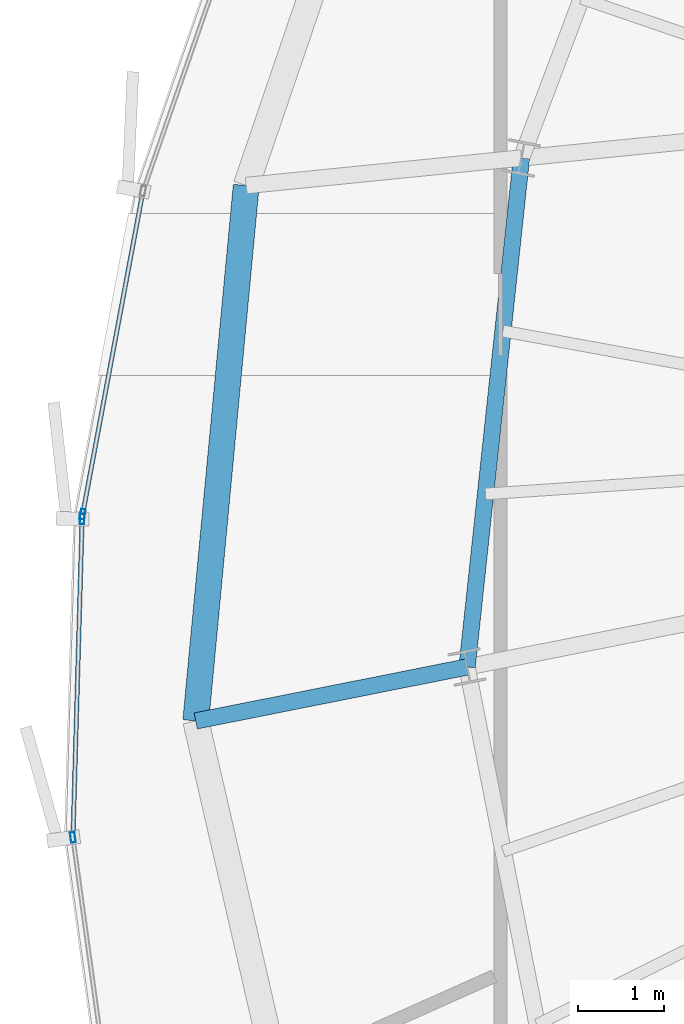
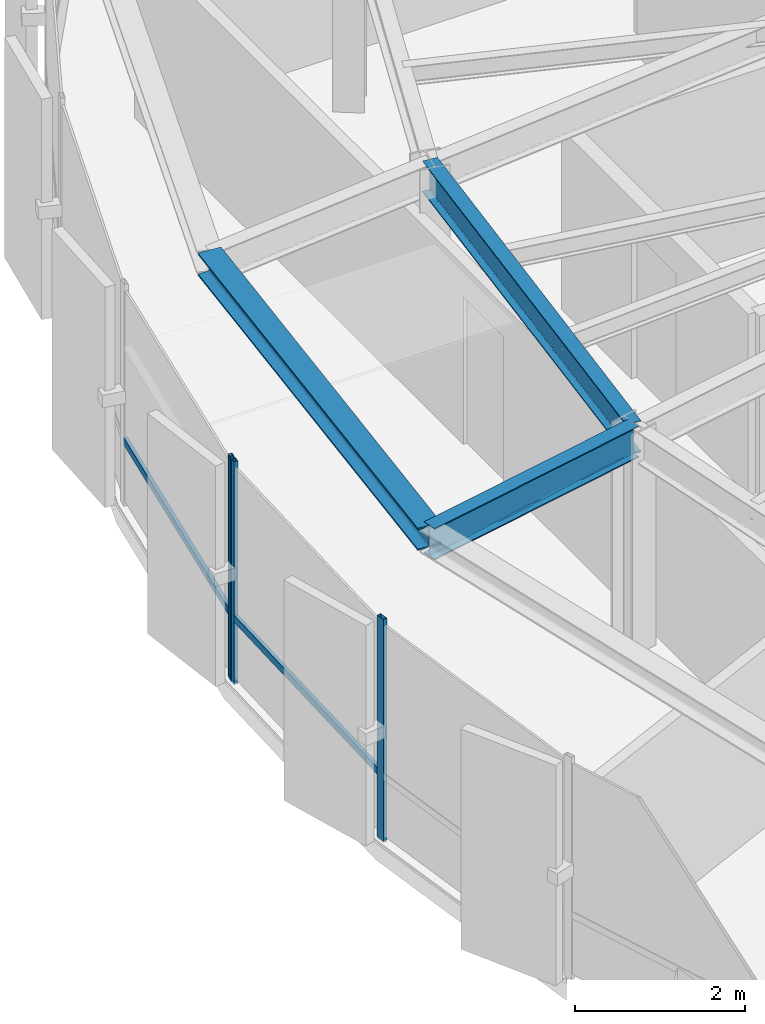
# One storey, part 9 of 31: 5 members, 3 beams, 2 elements without a shape of their own.
"""IFC4 building model written with IfcOpenShell, lengths in metres."""

from ifc_helpers import new_model, si_unit, direction, frame, origin, origin_2d, place, context, subcontext, project, spatial, hollow_rectangle, i_section, extrude, source, transform, mapped, material, layer, layer_set, material_profile, profile_set, type_object, element, aggregate, save


model = new_model("IFC4")

# Units and contexts
model_context = context("Model", 3, precision=1e-05, world=origin(), true_north=direction((0.0, 1.0)))
body_context = subcontext(model_context, "Body", "Model", "MODEL_VIEW")
ifc_project = project(units=[si_unit("LENGTHUNIT", "METRE"), si_unit("AREAUNIT", "SQUARE_METRE"), si_unit("VOLUMEUNIT", "CUBIC_METRE"), si_unit("PLANEANGLEUNIT", "RADIAN"), si_unit("MASSUNIT", "GRAM", prefix="KILO"), si_unit("THERMODYNAMICTEMPERATUREUNIT", "KELVIN")], contexts=[model_context])

# Site, building, storey
site_placement = place(None, origin())
site = spatial("IfcSite", under=ifc_project, at=site_placement, CompositionType="ELEMENT")
building_placement = place(site_placement, origin())
building = spatial("IfcBuilding", under=site, at=building_placement, Name="Kethvar Cultural Tower", CompositionType="ELEMENT")
storey_placement = place(building_placement, frame((0.0, 0.0, 269.800048828125)))
storey = spatial("IfcBuildingStorey", under=building, at=storey_placement, Name="L71", CompositionType="ELEMENT", Elevation=269.800048828125)

# Beams
ifc_material_1 = material(Name="Steel S355J2", Category="steel")
ifc_material_profile_1 = material_profile(ifc_material_1, i_section(OverallWidth=0.18994140625, OverallDepth=0.449951171875, WebThickness=0.009521484375, FlangeThickness=0.0146484375, FilletRadius=0.02099609375, at=origin_2d()), Name="Steel S355J2 — IPE450")
ifc_profile_set_1 = profile_set([ifc_material_profile_1], Name="Steel S355J2 — IPE450")
beam_type_1 = type_object("IfcBeamType", Name="BM-IPE450", PredefinedType="BEAM", material=ifc_profile_set_1)
shared_shape_1 = source(origin(), body_context, "Body", "SweptSolid", [
    extrude(i_section(OverallWidth=0.18994140625, OverallDepth=0.449951171875, WebThickness=0.009521484375, FlangeThickness=0.0146484375, FilletRadius=0.02099609375, at=origin_2d()), origin(), (0.0, 0.0, 1.0), 3.2001953125),
])
beam_1_placement = place(storey_placement, frame((31.68310546875, 24.79296875, 2.98291015625), z_axis=(-0.980788453702, -0.195074368086, 0.0), x_axis=(0.195074368086, -0.980788453702, 0.0)))
element("IfcBeam", 1, at=beam_1_placement, inside=storey, type_object=beam_type_1, Name="L71 Perimeter Cantilever Beam RC-09", PredefinedType="BEAM", context=body_context, shape_type="MappedRepresentation", body=[
    mapped(shared_shape_1, transform((0.0, 0.0, 0.0), scale=1.0)),
])
shared_shape_2 = source(origin(), body_context, "Body", "SweptSolid", [
    extrude(i_section(OverallWidth=0.18994140625, OverallDepth=0.449951171875, WebThickness=0.009521484375, FlangeThickness=0.0146484375, FilletRadius=0.02099609375, at=origin_2d()), origin(), (0.0, 0.0, 1.0), 5.92236328125),
])
beam_2_placement = place(storey_placement, frame((32.3125, 30.681884765625, 2.98291015625), z_axis=(-0.106272578913, -0.994337034899, 0.0), x_axis=(0.994337034899, -0.106272578913, 0.0)))
element("IfcBeam", 2, at=beam_2_placement, inside=storey, type_object=beam_type_1, Name="L71 Column Ring Tie Beam CR-08", PredefinedType="BEAM", context=body_context, shape_type="MappedRepresentation", body=[
    mapped(shared_shape_2, transform((0.0, 0.0, 0.0), scale=1.0)),
])
ifc_material_profile_2 = material_profile(ifc_material_1, i_section(OverallWidth=0.300048828125, OverallDepth=0.320068359375, WebThickness=0.011474609375, FlangeThickness=0.0205078125, FilletRadius=0.027099609375, at=origin_2d()), Name="Steel S355J2 — HEB320")
ifc_profile_set_2 = profile_set([ifc_material_profile_2], Name="Steel S355J2 — HEB320")
beam_type_2 = type_object("IfcBeamType", Name="BM-SP320", PredefinedType="SPANDREL", material=ifc_profile_set_2)
shared_shape_3 = source(origin(), body_context, "Body", "SweptSolid", [
    extrude(i_section(OverallWidth=0.300048828125, OverallDepth=0.320068359375, WebThickness=0.011474609375, FlangeThickness=0.0205078125, FilletRadius=0.027099609375, at=origin_2d()), origin(), (0.0, 0.0, 1.0), 6.222412109375),
])
beam_3_placement = place(storey_placement, frame((29.128173828125, 30.36376953125, 3.0478515625), z_axis=(-0.093811063392, -0.995590018223, 0.0), x_axis=(0.995590018223, -0.093811063392, 0.0)))
element("IfcBeam", 3, at=beam_3_placement, inside=storey, type_object=beam_type_2, Name="L71 Perimeter Spandrel Beam SP-08", PredefinedType="SPANDREL", context=body_context, shape_type="MappedRepresentation", body=[
    mapped(shared_shape_3, transform((0.0, 0.0, 0.0), scale=1.0)),
])

# Curtain wall, member
ifc_material_2 = material(Name="Aluminium 6063-T6", Category="aluminium")
ifc_layer = layer(ifc_material_2, 0.179931640625, Name="Aluminium 6063-T6", Category="aluminium")
ifc_layer_set = layer_set([ifc_layer], Name="Aluminium 6063-T6 (180 mm)")
curtain_wall_type = type_object("IfcCurtainWallType", Name="CW-SYS-05-Z56", PredefinedType="NOTDEFINED", material=ifc_layer_set)
curtain_wall_1_placement = place(storey_placement, origin())
curtain_wall_1 = element("IfcCurtainWall", 4, at=curtain_wall_1_placement, inside=storey, type_object=curtain_wall_type, Name="L71 Curtain Wall Run 02", PredefinedType="NOTDEFINED")
ifc_material_profile_3 = material_profile(ifc_material_2, hollow_rectangle(XDim=0.054931640625, YDim=0.1201171875, WallThickness=0.00390625, at=origin_2d()), Name="Aluminium 6063-T6 — RHS120x55x4")
ifc_profile_set_3 = profile_set([ifc_material_profile_3], Name="Aluminium 6063-T6 — RHS120x55x4")
member_type_1 = type_object("IfcMemberType", Name="CW-SYS-05-Z56-MUL", PredefinedType="MULLION", material=ifc_profile_set_3)
shared_shape_4 = source(origin(), body_context, "Body", "SweptSolid", [
    extrude(hollow_rectangle(XDim=0.054931640625, YDim=0.1201171875, WallThickness=0.00390625, at=origin_2d()), origin(), (0.0, 0.0, 1.0), 3.2099609375),
])
member_1_placement = place(storey_placement, frame((27.235595703125, 26.559814453125, 0.0), z_axis=(0.0, 0.0, 1.0), x_axis=(0.982996295681, -0.183625386799, 0.0)))
member_1 = element("IfcMember", 5, at=member_1_placement, type_object=member_type_1, Name="CW-L71-R02 Mullion 7", PredefinedType="MULLION", context=body_context, shape_type="MappedRepresentation", body=[
    mapped(shared_shape_4, transform((0.0, 0.0, 0.0), scale=1.0)),
])

# Curtain wall, members
curtain_wall_2_placement = place(storey_placement, origin())
curtain_wall_2 = element("IfcCurtainWall", 6, at=curtain_wall_2_placement, inside=storey, type_object=curtain_wall_type, Name="L71 Curtain Wall Run 03", PredefinedType="NOTDEFINED")
member_2_placement = place(storey_placement, frame((27.2294921875, 26.50439453125, 0.0), z_axis=(0.0, 0.0, 1.0), x_axis=(0.999588378009, -0.028689275876, 0.0)))
member_2 = element("IfcMember", 7, at=member_2_placement, type_object=member_type_1, Name="CW-L71-R03 Mullion 1", PredefinedType="MULLION", context=body_context, shape_type="MappedRepresentation", body=[
    mapped(shared_shape_4, transform((0.0, 0.0, 0.0), scale=1.0)),
])
member_3_placement = place(storey_placement, frame((27.12255859375, 22.8212890625, 0.0), z_axis=(0.0, 0.0, 1.0), x_axis=(0.990638561735, 0.136510951956, 0.0)))
member_3 = element("IfcMember", 8, at=member_3_placement, type_object=member_type_1, Name="CW-L71-R03 Mullion 2", PredefinedType="MULLION", context=body_context, shape_type="MappedRepresentation", body=[
    mapped(shared_shape_4, transform((0.0, 0.0, 0.0), scale=1.0)),
])

# Member
ifc_material_profile_4 = material_profile(ifc_material_2, hollow_rectangle(XDim=0.050048828125, YDim=0.10009765625, WallThickness=0.00390625, at=origin_2d()), Name="Aluminium 6063-T6 — RHS100x50x4")
ifc_profile_set_4 = profile_set([ifc_material_profile_4], Name="Aluminium 6063-T6 — RHS100x50x4")
member_type_2 = type_object("IfcMemberType", Name="CW-SYS-05-Z56-TRN", PredefinedType="USERDEFINED", material=ifc_profile_set_4)
shared_shape_5 = source(origin(), body_context, "Body", "SweptSolid", [
    extrude(hollow_rectangle(XDim=0.050048828125, YDim=0.10009765625, WallThickness=0.00390625, at=origin_2d()), origin(), (0.0, 0.0, 1.0), 3.759765625),
])
member_4_placement = place(storey_placement, frame((27.926513671875, 30.259521484375, 0.949951171875), z_axis=(-0.183574922303, -0.983005721195, 0.0), x_axis=(0.983005721195, -0.183574922303, 0.0)))
member_4 = element("IfcMember", 9, at=member_4_placement, type_object=member_type_2, Name="CW-L71-R02 Transom 6", ObjectType="TRANSOM", PredefinedType="USERDEFINED", context=body_context, shape_type="MappedRepresentation", body=[
    mapped(shared_shape_5, transform((0.0, 0.0, 0.0), scale=1.0)),
])

aggregate(curtain_wall_1, [member_1, member_4])

shared_shape_6 = source(origin(), body_context, "Body", "SweptSolid", [
    extrude(hollow_rectangle(XDim=0.050048828125, YDim=0.10009765625, WallThickness=0.00390625, at=origin_2d()), origin(), (0.0, 0.0, 1.0), 3.657470703125),
])
member_5_placement = place(storey_placement, frame((27.2294921875, 26.50048828125, 0.949951171875), z_axis=(-0.028702693617, -0.999587992815, 0.0), x_axis=(0.999587992815, -0.028702693617, 0.0)))
member_5 = element("IfcMember", 10, at=member_5_placement, type_object=member_type_2, Name="CW-L71-R03 Transom 1", ObjectType="TRANSOM", PredefinedType="USERDEFINED", context=body_context, shape_type="MappedRepresentation", body=[
    mapped(shared_shape_6, transform((0.0, 0.0, 0.0), scale=1.0)),
])

aggregate(curtain_wall_2, [member_2, member_3, member_5])

save(model, "model.ifc")
